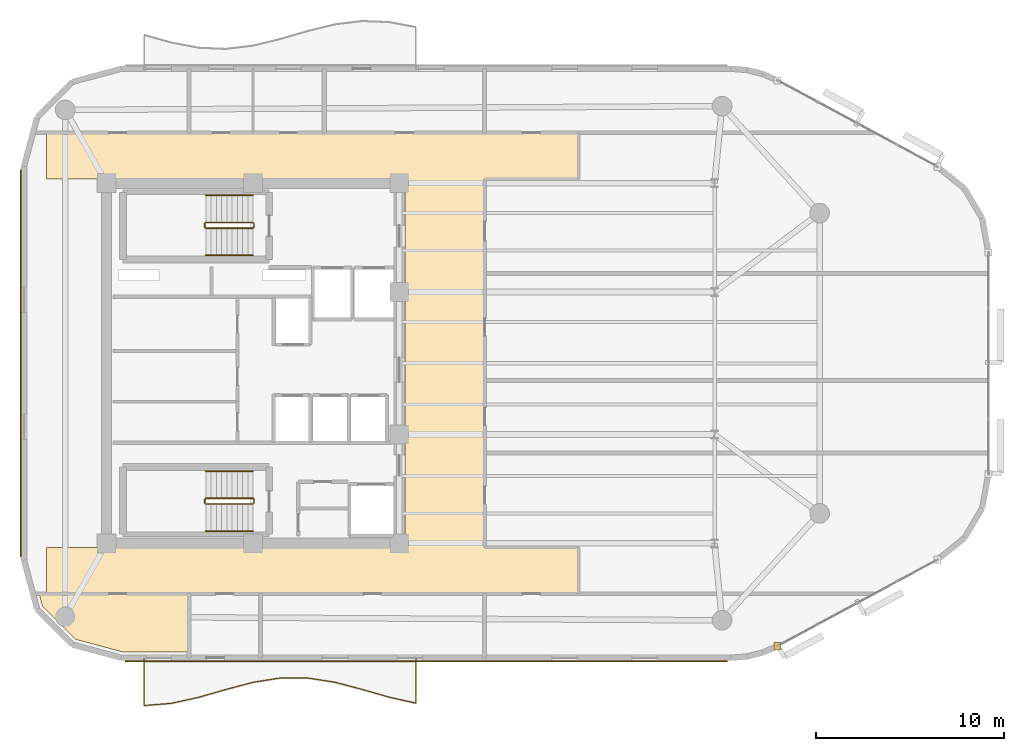
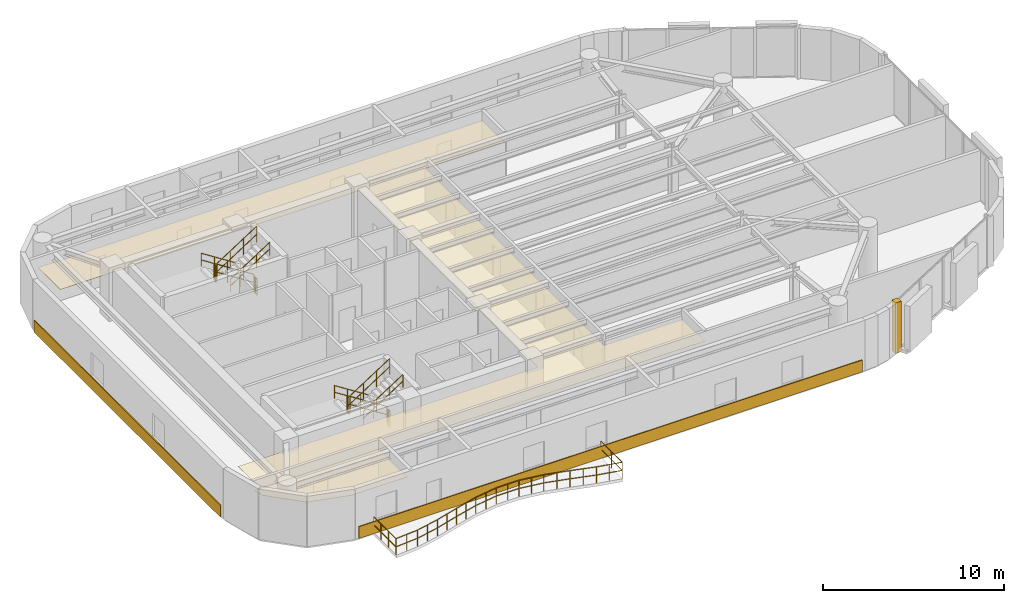
# One storey, part 12 of 13: 13 railings, 5 coverings.
"""IFC4 building model written with IfcOpenShell, lengths in metres."""

from ifc_helpers import new_model, si_unit, direction, frame, origin, origin_2d, place, context, subcontext, project, spatial, polyline, rectangle, circle, outline, extrude, material, layer, layer_set, type_object, element, save


model = new_model("IFC4")

# Units and contexts
model_context = context("Model", 3, precision=1e-05, world=origin(), true_north=direction((0.0, 1.0)))
body_context = subcontext(model_context, "Body", "Model", "MODEL_VIEW")
ifc_project = project(units=[si_unit("LENGTHUNIT", "METRE"), si_unit("AREAUNIT", "SQUARE_METRE"), si_unit("VOLUMEUNIT", "CUBIC_METRE"), si_unit("PLANEANGLEUNIT", "RADIAN"), si_unit("MASSUNIT", "GRAM", prefix="KILO")], contexts=[model_context])

# Site, building, storey
site_placement = place(None, origin())
site = spatial("IfcSite", under=ifc_project, at=site_placement, CompositionType="ELEMENT")
building_placement = place(site_placement, origin())
building = spatial("IfcBuilding", under=site, at=building_placement, Name="An Khanh Terracotta Commons", CompositionType="ELEMENT")
storey_placement = place(building_placement, frame((0.0, 0.0, 215.699951171875)))
storey = spatial("IfcBuildingStorey", under=building, at=storey_placement, Name="L56", CompositionType="ELEMENT", Elevation=215.699951171875)

# Coverings
ifc_material_1 = material(Name="Perforated Mineral-Fibre Acoustic Tile")
ifc_layer_1 = layer(ifc_material_1, 0.02001953125, Name="Perforated Mineral-Fibre Acoustic Tile")
ifc_layer_set_1 = layer_set([ifc_layer_1], Name="Perforated Mineral-Fibre Acoustic Tile")
covering_type_1 = type_object("IfcCoveringType", Name="CEIL-ACOUSTIC-18", PredefinedType="CEILING", material=ifc_layer_set_1)
covering_1_placement = place(storey_placement, frame((0.0, 0.0, 2.650146484375)))
element("IfcCovering", 1, at=covering_1_placement, inside=storey, type_object=covering_type_1, Name="L56 Corridor Ceiling", PredefinedType="CEILING", context=body_context, shape_type="SweptSolid", body=[
    extrude(outline(polyline([(37.5, 14.179931640625), (37.5, 33.820068359375), (18.39990234375, 33.820068359375), (18.39990234375, 36.280029296875), (37.5, 36.280029296875), (41.75, 36.280029296875), (46.75, 36.280029296875), (46.75, 33.820068359375), (41.75, 33.820068359375), (41.75, 14.179931640625), (46.75, 14.179931640625), (46.75, 11.719970703125), (41.75, 11.719970703125), (37.5, 11.719970703125), (18.39990234375, 11.719970703125), (18.39990234375, 14.179931640625), (37.5, 14.179931640625)])), origin(), (0.0, 0.0, 1.0), 0.02001953125),
])
covering_2_placement = place(storey_placement, frame((0.0, 0.0, 2.650146484375)))
element("IfcCovering", 2, at=covering_2_placement, inside=storey, type_object=covering_type_1, Name="L56 Student Reading Library Ceiling", PredefinedType="CEILING", context=body_context, shape_type="SweptSolid", body=[
    extrude(outline(polyline([(22.44189453125, 8.6201171875), (19.966064453125, 9.283935546875), (18.18408203125, 11.06591796875), (18.008056640625, 11.719970703125), (18.39990234375, 11.719970703125), (26.0, 11.719970703125), (26.0, 8.64990234375), (26.0, 8.6201171875), (22.44189453125, 8.6201171875)])), origin(), (0.0, 0.0, 1.0), 0.02001953125),
])
ifc_material_2 = material(Name="Fired Terracotta Rainscreen Cladding", Category="masonry")
ifc_layer_2 = layer(ifc_material_2, 0.080078125, Name="Fired Terracotta Rainscreen Cladding")
ifc_layer_set_2 = layer_set([ifc_layer_2], Name="Fired Terracotta Rainscreen Cladding")
covering_type_2 = type_object("IfcCoveringType", Name="COV-JAMB-TERRA", PredefinedType="CLADDING", material=ifc_layer_set_2)
covering_3_placement = place(storey_placement, frame((57.35693359375, 8.925048828125, 0.0), z_axis=(0.0, 0.0, 1.0), x_axis=(1.0, 0.0, 0.0)))
element("IfcCovering", 3, at=covering_3_placement, inside=storey, type_object=covering_type_2, Name="L56 CW-03 Curtain-Wall Jamb Closure JA", PredefinedType="CLADDING", context=body_context, shape_type="SweptSolid", body=[
    extrude(rectangle(XDim=0.3798828125, YDim=0.3798828125, at=origin_2d()), origin(), (0.0, 0.0, 1.0), 3.39990234375),
])
ifc_layer_3 = layer(ifc_material_2, 0.06005859375, Name="Fired Terracotta Rainscreen Cladding")
ifc_layer_set_3 = layer_set([ifc_layer_3], Name="Fired Terracotta Rainscreen Cladding")
covering_type_3 = type_object("IfcCoveringType", Name="COV-SPANDREL-TERRA", PredefinedType="CLADDING", material=ifc_layer_set_3)
covering_4_placement = place(storey_placement, frame((38.64208984375, 8.1201171875, 0.02001953125), z_axis=(0.0, 0.0, 1.0), x_axis=(1.0, 0.0, 0.0)))
element("IfcCovering", 4, at=covering_4_placement, inside=storey, type_object=covering_type_3, Name="L56 Terracotta Spandrel Cladding 4", PredefinedType="CLADDING", context=body_context, shape_type="SweptSolid", body=[
    extrude(rectangle(XDim=32.0849609375, YDim=0.06005859375, at=origin_2d()), origin(), (0.0, 0.0, 1.0), 0.800048828125),
])
covering_5_placement = place(storey_placement, frame((17.02001953125, 24.0, 0.02001953125), z_axis=(0.0, 0.0, 1.0), x_axis=(0.0, -1.0, 0.0)))
element("IfcCovering", 5, at=covering_5_placement, inside=storey, type_object=covering_type_3, Name="L56 Terracotta Spandrel Cladding 24", PredefinedType="CLADDING", context=body_context, shape_type="SweptSolid", body=[
    extrude(rectangle(XDim=20.60009765625, YDim=0.06005859375, at=origin_2d()), origin(), (0.0, 0.0, 1.0), 0.800048828125),
])

# Railings
ifc_material_3 = material(Name="Brushed Stainless Steel 316", Category="steel")
railing_type_1 = type_object("IfcRailingType", Name="RAIL-BALUSTRADE-1100", PredefinedType="BALUSTRADE", material=ifc_material_3)
railing_1_placement = place(storey_placement, frame((23.60009765625, 8.239990234375, 0.0)))
element("IfcRailing", 6, at=railing_1_placement, inside=storey, type_object=railing_type_1, Name="L56 S Wave Balcony Guard Balustrade", PredefinedType="BALUSTRADE", context=body_context, shape_type="SweptSolid", body=[
    extrude(circle(Radius=0.02392578125, at=origin_2d()), frame((0.0, 0.0, 1.076171875), z_axis=(0.0, -1.0, 0.0), x_axis=(1.0, 0.0, 0.0)), (0.0, 0.0, 1.0), 2.47998046875),
    extrude(circle(Radius=0.02392578125, at=origin_2d()), frame((0.0, 0.0, 0.52587890625), z_axis=(0.0, -1.0, 0.0), x_axis=(1.0, 0.0, 0.0)), (0.0, 0.0, 1.0), 2.47998046875),
    extrude(circle(Radius=0.02392578125, at=origin_2d()), frame((0.0, -2.47998046875, 1.076171875), z_axis=(0.996709288689, 0.081059199602, 0.0), x_axis=(-0.081059199602, 0.996709288689, 0.0)), (0.0, 0.0, 1.0), 1.454833984375),
    extrude(circle(Radius=0.02392578125, at=origin_2d()), frame((0.0, -2.47998046875, 0.52587890625), z_axis=(0.996709288689, 0.081059199602, 0.0), x_axis=(-0.081059199602, 0.996709288689, 0.0)), (0.0, 0.0, 1.0), 1.454833984375),
    extrude(circle(Radius=0.02392578125, at=origin_2d()), frame((1.449951171875, -2.362060546875, 1.076171875), z_axis=(0.976767859209, 0.214300138163, 0.0), x_axis=(-0.214300138163, 0.976767859209, 0.0)), (0.0, 0.0, 1.0), 1.484375),
    extrude(circle(Radius=0.02392578125, at=origin_2d()), frame((1.449951171875, -2.362060546875, 0.52587890625), z_axis=(0.976767859209, 0.214300138163, 0.0), x_axis=(-0.214300138163, 0.976767859209, 0.0)), (0.0, 0.0, 1.0), 1.484375),
    extrude(circle(Radius=0.02392578125, at=origin_2d()), frame((2.89990234375, -2.0439453125, 1.076171875), z_axis=(0.961046203514, 0.276387761509, 0.0), x_axis=(-0.276387761509, 0.961046203514, 0.0)), (0.0, 0.0, 1.0), 1.5087890625),
    extrude(circle(Radius=0.02392578125, at=origin_2d()), frame((2.89990234375, -2.0439453125, 0.52587890625), z_axis=(0.961046203514, 0.276387761509, 0.0), x_axis=(-0.276387761509, 0.961046203514, 0.0)), (0.0, 0.0, 1.0), 1.5087890625),
    extrude(circle(Radius=0.02392578125, at=origin_2d()), frame((4.349853515625, -1.626953125, 1.076171875), z_axis=(0.966668506699, 0.256031244492, 0.0), x_axis=(-0.256031244492, 0.966668506699, 0.0)), (0.0, 0.0, 1.0), 1.5),
    extrude(circle(Radius=0.02392578125, at=origin_2d()), frame((4.349853515625, -1.626953125, 0.52587890625), z_axis=(0.966668506699, 0.256031244492, 0.0), x_axis=(-0.256031244492, 0.966668506699, 0.0)), (0.0, 0.0, 1.0), 1.5),
    extrude(circle(Radius=0.02392578125, at=origin_2d()), frame((5.7998046875, -1.242919921875, 1.076171875), z_axis=(0.987554496283, 0.157277197556, 0.0), x_axis=(-0.157277197556, 0.987554496283, 0.0)), (0.0, 0.0, 1.0), 1.468505859375),
    extrude(circle(Radius=0.02392578125, at=origin_2d()), frame((5.7998046875, -1.242919921875, 0.52587890625), z_axis=(0.987554496283, 0.157277197556, 0.0), x_axis=(-0.157277197556, 0.987554496283, 0.0)), (0.0, 0.0, 1.0), 1.468505859375),
    extrude(circle(Radius=0.02392578125, at=origin_2d()), frame((7.25, -1.011962890625, 1.076171875), z_axis=(0.99999637105, 0.002694046462, 0.0), x_axis=(-0.002694046462, 0.99999637105, 0.0)), (0.0, 0.0, 1.0), 1.449951171875),
    extrude(circle(Radius=0.02392578125, at=origin_2d()), frame((7.25, -1.011962890625, 0.52587890625), z_axis=(0.99999637105, 0.002694046462, 0.0), x_axis=(-0.002694046462, 0.99999637105, 0.0)), (0.0, 0.0, 1.0), 1.449951171875),
    extrude(circle(Radius=0.02392578125, at=origin_2d()), frame((8.699951171875, -1.008056640625, 1.076171875), z_axis=(0.988288829033, -0.152594857084, 0.0), x_axis=(0.152594857084, 0.988288829033, 0.0)), (0.0, 0.0, 1.0), 1.467041015625),
    extrude(circle(Radius=0.02392578125, at=origin_2d()), frame((8.699951171875, -1.008056640625, 0.52587890625), z_axis=(0.988288829033, -0.152594857084, 0.0), x_axis=(0.152594857084, 0.988288829033, 0.0)), (0.0, 0.0, 1.0), 1.467041015625),
    extrude(circle(Radius=0.02392578125, at=origin_2d()), frame((10.14990234375, -1.23193359375, 1.076171875), z_axis=(0.96715043339, -0.254204719064, 0.0), x_axis=(0.254204719064, 0.96715043339, 0.0)), (0.0, 0.0, 1.0), 1.499267578125),
    extrude(circle(Radius=0.02392578125, at=origin_2d()), frame((10.14990234375, -1.23193359375, 0.52587890625), z_axis=(0.96715043339, -0.254204719064, 0.0), x_axis=(0.254204719064, 0.96715043339, 0.0)), (0.0, 0.0, 1.0), 1.499267578125),
    extrude(circle(Radius=0.02392578125, at=origin_2d()), frame((11.599853515625, -1.613037109375, 1.076171875), z_axis=(0.960874117493, -0.276985433431, 0.0), x_axis=(0.276985433431, 0.960874117493, 0.0)), (0.0, 0.0, 1.0), 1.509033203125),
    extrude(circle(Radius=0.02392578125, at=origin_2d()), frame((11.599853515625, -1.613037109375, 0.52587890625), z_axis=(0.960874117493, -0.276985433431, 0.0), x_axis=(0.276985433431, 0.960874117493, 0.0)), (0.0, 0.0, 1.0), 1.509033203125),
    extrude(circle(Radius=0.02392578125, at=origin_2d()), frame((13.0498046875, -2.031005859375, 1.076171875), z_axis=(0.976082553293, -0.217400205052, 0.0), x_axis=(0.217400205052, 0.976082553293, 0.0)), (0.0, 0.0, 1.0), 1.48583984375),
    extrude(circle(Radius=0.02392578125, at=origin_2d()), frame((13.0498046875, -2.031005859375, 0.52587890625), z_axis=(0.976082553293, -0.217400205052, 0.0), x_axis=(0.217400205052, 0.976082553293, 0.0)), (0.0, 0.0, 1.0), 1.48583984375),
    extrude(circle(Radius=0.02392578125, at=origin_2d()), frame((14.5, -2.35400390625, 1.076171875), z_axis=(0.0, 1.0, 0.0), x_axis=(-1.0, 0.0, 0.0)), (0.0, 0.0, 1.0), 2.35400390625),
    extrude(circle(Radius=0.02392578125, at=origin_2d()), frame((14.5, -2.35400390625, 0.52587890625), z_axis=(0.0, 1.0, 0.0), x_axis=(-1.0, 0.0, 0.0)), (0.0, 0.0, 1.0), 2.35400390625),
    extrude(circle(Radius=0.02099609375, at=origin_2d()), origin(), (0.0, 0.0, 1.0), 1.052001953125),
    extrude(circle(Radius=0.02099609375, at=origin_2d()), frame((0.0, -0.82666015625, 0.0)), (0.0, 0.0, 1.0), 1.052001953125),
    extrude(circle(Radius=0.02099609375, at=origin_2d()), frame((0.0, -1.6533203125, 0.0)), (0.0, 0.0, 1.0), 1.052001953125),
    extrude(circle(Radius=0.02099609375, at=origin_2d()), frame((0.0, -2.47998046875, 0.0)), (0.0, 0.0, 1.0), 1.052001953125),
    extrude(circle(Radius=0.02099609375, at=origin_2d()), frame((0.72509765625, -2.4208984375, 0.0)), (0.0, 0.0, 1.0), 1.052001953125),
    extrude(circle(Radius=0.02099609375, at=origin_2d()), frame((1.449951171875, -2.362060546875, 0.0)), (0.0, 0.0, 1.0), 1.052001953125),
    extrude(circle(Radius=0.02099609375, at=origin_2d()), frame((2.1748046875, -2.203125, 0.0)), (0.0, 0.0, 1.0), 1.052001953125),
    extrude(circle(Radius=0.02099609375, at=origin_2d()), frame((2.89990234375, -2.0439453125, 0.0)), (0.0, 0.0, 1.0), 1.052001953125),
    extrude(circle(Radius=0.02099609375, at=origin_2d()), frame((3.625, -1.83544921875, 0.0)), (0.0, 0.0, 1.0), 1.052001953125),
    extrude(circle(Radius=0.02099609375, at=origin_2d()), frame((4.349853515625, -1.626953125, 0.0)), (0.0, 0.0, 1.0), 1.052001953125),
    extrude(circle(Radius=0.02099609375, at=origin_2d()), frame((5.07470703125, -1.43505859375, 0.0)), (0.0, 0.0, 1.0), 1.052001953125),
    extrude(circle(Radius=0.02099609375, at=origin_2d()), frame((5.7998046875, -1.242919921875, 0.0)), (0.0, 0.0, 1.0), 1.052001953125),
    extrude(circle(Radius=0.02099609375, at=origin_2d()), frame((6.52490234375, -1.12744140625, 0.0)), (0.0, 0.0, 1.0), 1.052001953125),
    extrude(circle(Radius=0.02099609375, at=origin_2d()), frame((7.25, -1.011962890625, 0.0)), (0.0, 0.0, 1.0), 1.052001953125),
    extrude(circle(Radius=0.02099609375, at=origin_2d()), frame((7.97509765625, -1.010009765625, 0.0)), (0.0, 0.0, 1.0), 1.052001953125),
    extrude(circle(Radius=0.02099609375, at=origin_2d()), frame((8.699951171875, -1.008056640625, 0.0)), (0.0, 0.0, 1.0), 1.052001953125),
    extrude(circle(Radius=0.02099609375, at=origin_2d()), frame((9.4248046875, -1.1201171875, 0.0)), (0.0, 0.0, 1.0), 1.052001953125),
    extrude(circle(Radius=0.02099609375, at=origin_2d()), frame((10.14990234375, -1.23193359375, 0.0)), (0.0, 0.0, 1.0), 1.052001953125),
    extrude(circle(Radius=0.02099609375, at=origin_2d()), frame((10.875, -1.42236328125, 0.0)), (0.0, 0.0, 1.0), 1.052001953125),
    extrude(circle(Radius=0.02099609375, at=origin_2d()), frame((11.599853515625, -1.613037109375, 0.0)), (0.0, 0.0, 1.0), 1.052001953125),
    extrude(circle(Radius=0.02099609375, at=origin_2d()), frame((12.32470703125, -1.822021484375, 0.0)), (0.0, 0.0, 1.0), 1.052001953125),
    extrude(circle(Radius=0.02099609375, at=origin_2d()), frame((13.0498046875, -2.031005859375, 0.0)), (0.0, 0.0, 1.0), 1.052001953125),
    extrude(circle(Radius=0.02099609375, at=origin_2d()), frame((13.77490234375, -2.1923828125, 0.0)), (0.0, 0.0, 1.0), 1.052001953125),
    extrude(circle(Radius=0.02099609375, at=origin_2d()), frame((14.5, -2.35400390625, 0.0)), (0.0, 0.0, 1.0), 1.052001953125),
    extrude(circle(Radius=0.02099609375, at=origin_2d()), frame((14.5, -1.177001953125, 0.0)), (0.0, 0.0, 1.0), 1.052001953125),
    extrude(circle(Radius=0.02099609375, at=origin_2d()), frame((14.5, 0.0, 0.0)), (0.0, 0.0, 1.0), 1.052001953125),
])
railing_type_2 = type_object("IfcRailingType", Name="RAIL-HANDRAIL-900", PredefinedType="HANDRAIL", material=ifc_material_3)
railing_2_placement = place(storey_placement, frame((29.409912109375, 32.949951171875, 0.179931640625)))
element("IfcRailing", 7, at=railing_2_placement, inside=storey, type_object=railing_type_2, Name="L56 ST-01 stair handrail 1", PredefinedType="HANDRAIL", context=body_context, shape_type="SweptSolid", body=[
    extrude(circle(Radius=0.02392578125, at=origin_2d()), frame((0.0, 0.0, 0.8759765625), z_axis=(-0.841162588446, 0.0, 0.540782303519), x_axis=(0.0, -1.0, 0.0)), (0.0, 0.0, 1.0), 2.995849609375),
    extrude(circle(Radius=0.02392578125, at=origin_2d()), frame((0.0, 0.0, 0.42578125), z_axis=(-0.841162588446, 0.0, 0.540782303519), x_axis=(0.0, -1.0, 0.0)), (0.0, 0.0, 1.0), 2.995849609375),
    extrude(circle(Radius=0.02099609375, at=origin_2d()), origin(), (0.0, 0.0, 1.0), 0.851806640625),
    extrude(circle(Radius=0.02099609375, at=origin_2d()), frame((-0.840087890625, 0.0, 0.5400390625)), (0.0, 0.0, 1.0), 0.851806640625),
    extrude(circle(Radius=0.02099609375, at=origin_2d()), frame((-1.679931640625, 0.0, 1.080078125)), (0.0, 0.0, 1.0), 0.851806640625),
    extrude(circle(Radius=0.02099609375, at=origin_2d()), frame((-2.52001953125, 0.0, 1.6201171875)), (0.0, 0.0, 1.0), 0.851806640625),
])
railing_3_placement = place(storey_placement, frame((26.889892578125, 29.75, 1.97998046875)))
element("IfcRailing", 8, at=railing_3_placement, inside=storey, type_object=railing_type_2, Name="L56 ST-01 stair handrail 2", PredefinedType="HANDRAIL", context=body_context, shape_type="SweptSolid", body=[
    extrude(circle(Radius=0.02392578125, at=origin_2d()), frame((0.0, 0.0, 0.8759765625), z_axis=(0.841162588446, 0.0, 0.540782303519), x_axis=(0.0, 1.0, 0.0)), (0.0, 0.0, 1.0), 2.995849609375),
    extrude(circle(Radius=0.02392578125, at=origin_2d()), frame((0.0, 0.0, 0.42578125), z_axis=(0.841162588446, 0.0, 0.540782303519), x_axis=(0.0, 1.0, 0.0)), (0.0, 0.0, 1.0), 2.995849609375),
    extrude(circle(Radius=0.02099609375, at=origin_2d()), origin(), (0.0, 0.0, 1.0), 0.851806640625),
    extrude(circle(Radius=0.02099609375, at=origin_2d()), frame((0.840087890625, 0.0, 0.5400390625)), (0.0, 0.0, 1.0), 0.851806640625),
    extrude(circle(Radius=0.02099609375, at=origin_2d()), frame((1.679931640625, 0.0, 1.080078125)), (0.0, 0.0, 1.0), 0.851806640625),
    extrude(circle(Radius=0.02099609375, at=origin_2d()), frame((2.52001953125, 0.0, 1.6201171875)), (0.0, 0.0, 1.0), 0.851806640625),
])
railing_4_placement = place(storey_placement, frame((29.409912109375, 18.25, 0.179931640625)))
element("IfcRailing", 9, at=railing_4_placement, inside=storey, type_object=railing_type_2, Name="L56 ST-02 stair handrail 1", PredefinedType="HANDRAIL", context=body_context, shape_type="SweptSolid", body=[
    extrude(circle(Radius=0.02392578125, at=origin_2d()), frame((0.0, 0.0, 0.8759765625), z_axis=(-0.841162588446, 0.0, 0.540782303519), x_axis=(0.0, -1.0, 0.0)), (0.0, 0.0, 1.0), 2.995849609375),
    extrude(circle(Radius=0.02392578125, at=origin_2d()), frame((0.0, 0.0, 0.42578125), z_axis=(-0.841162588446, 0.0, 0.540782303519), x_axis=(0.0, -1.0, 0.0)), (0.0, 0.0, 1.0), 2.995849609375),
    extrude(circle(Radius=0.02099609375, at=origin_2d()), origin(), (0.0, 0.0, 1.0), 0.851806640625),
    extrude(circle(Radius=0.02099609375, at=origin_2d()), frame((-0.840087890625, 0.0, 0.5400390625)), (0.0, 0.0, 1.0), 0.851806640625),
    extrude(circle(Radius=0.02099609375, at=origin_2d()), frame((-1.679931640625, 0.0, 1.080078125)), (0.0, 0.0, 1.0), 0.851806640625),
    extrude(circle(Radius=0.02099609375, at=origin_2d()), frame((-2.52001953125, 0.0, 1.6201171875)), (0.0, 0.0, 1.0), 0.851806640625),
])
railing_5_placement = place(storey_placement, frame((26.889892578125, 15.050048828125, 1.97998046875)))
element("IfcRailing", 10, at=railing_5_placement, inside=storey, type_object=railing_type_2, Name="L56 ST-02 stair handrail 2", PredefinedType="HANDRAIL", context=body_context, shape_type="SweptSolid", body=[
    extrude(circle(Radius=0.02392578125, at=origin_2d()), frame((0.0, 0.0, 0.8759765625), z_axis=(0.841162588446, 0.0, 0.540782303519), x_axis=(0.0, 1.0, 0.0)), (0.0, 0.0, 1.0), 2.995849609375),
    extrude(circle(Radius=0.02392578125, at=origin_2d()), frame((0.0, 0.0, 0.42578125), z_axis=(0.841162588446, 0.0, 0.540782303519), x_axis=(0.0, 1.0, 0.0)), (0.0, 0.0, 1.0), 2.995849609375),
    extrude(circle(Radius=0.02099609375, at=origin_2d()), origin(), (0.0, 0.0, 1.0), 0.851806640625),
    extrude(circle(Radius=0.02099609375, at=origin_2d()), frame((0.840087890625, 0.0, 0.5400390625)), (0.0, 0.0, 1.0), 0.851806640625),
    extrude(circle(Radius=0.02099609375, at=origin_2d()), frame((1.679931640625, 0.0, 1.080078125)), (0.0, 0.0, 1.0), 0.851806640625),
    extrude(circle(Radius=0.02099609375, at=origin_2d()), frame((2.52001953125, 0.0, 1.6201171875)), (0.0, 0.0, 1.0), 0.851806640625),
])
ifc_material_4 = material(Name="Powder-Coated Steel S355J2", Category="steel")
railing_type_3 = type_object("IfcRailingType", Name="RAIL-STAIR-GUARD-1100", PredefinedType="BALUSTRADE", material=ifc_material_4)
railing_6_placement = place(storey_placement, frame((29.409912109375, 31.5, 0.179931640625)))
element("IfcRailing", 11, at=railing_6_placement, inside=storey, type_object=railing_type_3, Name="L56 ST-01 stair guard 1", PredefinedType="BALUSTRADE", context=body_context, shape_type="SweptSolid", body=[
    extrude(circle(Radius=0.02392578125, at=origin_2d()), frame((0.0, 0.0, 1.076171875), z_axis=(-0.841162588446, 0.0, 0.540782303519), x_axis=(0.0, -1.0, 0.0)), (0.0, 0.0, 1.0), 2.995849609375),
    extrude(circle(Radius=0.02392578125, at=origin_2d()), frame((0.0, 0.0, 0.52587890625), z_axis=(-0.841162588446, 0.0, 0.540782303519), x_axis=(0.0, -1.0, 0.0)), (0.0, 0.0, 1.0), 2.995849609375),
    extrude(circle(Radius=0.02099609375, at=origin_2d()), origin(), (0.0, 0.0, 1.0), 1.052001953125),
    extrude(circle(Radius=0.02099609375, at=origin_2d()), frame((-0.840087890625, 0.0, 0.5400390625)), (0.0, 0.0, 1.0), 1.052001953125),
    extrude(circle(Radius=0.02099609375, at=origin_2d()), frame((-1.679931640625, 0.0, 1.080078125)), (0.0, 0.0, 1.0), 1.052001953125),
    extrude(circle(Radius=0.02099609375, at=origin_2d()), frame((-2.52001953125, 0.0, 1.6201171875)), (0.0, 0.0, 1.0), 1.052001953125),
])
railing_7_placement = place(storey_placement, frame((26.840087890625, 31.449951171875, 1.800048828125)))
element("IfcRailing", 12, at=railing_7_placement, inside=storey, type_object=railing_type_3, Name="L56 ST-01 stair guard 2", PredefinedType="BALUSTRADE", context=body_context, shape_type="SweptSolid", body=[
    extrude(circle(Radius=0.02392578125, at=origin_2d()), frame((0.0, 0.0, 1.076171875), z_axis=(0.0, -1.0, 0.0), x_axis=(1.0, 0.0, 0.0)), (0.0, 0.0, 1.0), 0.199951171875),
    extrude(circle(Radius=0.02392578125, at=origin_2d()), frame((0.0, 0.0, 0.52587890625), z_axis=(0.0, -1.0, 0.0), x_axis=(1.0, 0.0, 0.0)), (0.0, 0.0, 1.0), 0.199951171875),
    extrude(circle(Radius=0.02099609375, at=origin_2d()), origin(), (0.0, 0.0, 1.0), 1.052001953125),
    extrude(circle(Radius=0.02099609375, at=origin_2d()), frame((0.0, -0.199951171875, 0.0)), (0.0, 0.0, 1.0), 1.052001953125),
])
railing_8_placement = place(storey_placement, frame((26.889892578125, 31.199951171875, 1.97998046875)))
element("IfcRailing", 13, at=railing_8_placement, inside=storey, type_object=railing_type_3, Name="L56 ST-01 stair guard 3", PredefinedType="BALUSTRADE", context=body_context, shape_type="SweptSolid", body=[
    extrude(circle(Radius=0.02392578125, at=origin_2d()), frame((0.0, 0.0, 1.076171875), z_axis=(0.841162588446, 0.0, 0.540782303519), x_axis=(0.0, 1.0, 0.0)), (0.0, 0.0, 1.0), 2.995849609375),
    extrude(circle(Radius=0.02392578125, at=origin_2d()), frame((0.0, 0.0, 0.52587890625), z_axis=(0.841162588446, 0.0, 0.540782303519), x_axis=(0.0, 1.0, 0.0)), (0.0, 0.0, 1.0), 2.995849609375),
    extrude(circle(Radius=0.02099609375, at=origin_2d()), origin(), (0.0, 0.0, 1.0), 1.052001953125),
    extrude(circle(Radius=0.02099609375, at=origin_2d()), frame((0.840087890625, 0.0, 0.5400390625)), (0.0, 0.0, 1.0), 1.052001953125),
    extrude(circle(Radius=0.02099609375, at=origin_2d()), frame((1.679931640625, 0.0, 1.080078125)), (0.0, 0.0, 1.0), 1.052001953125),
    extrude(circle(Radius=0.02099609375, at=origin_2d()), frame((2.52001953125, 0.0, 1.6201171875)), (0.0, 0.0, 1.0), 1.052001953125),
])
railing_9_placement = place(storey_placement, frame((29.4599609375, 31.449951171875, 0.0)))
element("IfcRailing", 14, at=railing_9_placement, inside=storey, type_object=railing_type_3, Name="L56 ST-01 stair guard 4", PredefinedType="BALUSTRADE", context=body_context, shape_type="SweptSolid", body=[
    extrude(circle(Radius=0.02392578125, at=origin_2d()), frame((0.0, 0.0, 1.076171875), z_axis=(0.0, -1.0, 0.0), x_axis=(1.0, 0.0, 0.0)), (0.0, 0.0, 1.0), 0.199951171875),
    extrude(circle(Radius=0.02392578125, at=origin_2d()), frame((0.0, 0.0, 0.52587890625), z_axis=(0.0, -1.0, 0.0), x_axis=(1.0, 0.0, 0.0)), (0.0, 0.0, 1.0), 0.199951171875),
    extrude(circle(Radius=0.02099609375, at=origin_2d()), origin(), (0.0, 0.0, 1.0), 1.052001953125),
    extrude(circle(Radius=0.02099609375, at=origin_2d()), frame((0.0, -0.199951171875, 0.0)), (0.0, 0.0, 1.0), 1.052001953125),
])
railing_10_placement = place(storey_placement, frame((29.409912109375, 16.800048828125, 0.179931640625)))
element("IfcRailing", 15, at=railing_10_placement, inside=storey, type_object=railing_type_3, Name="L56 ST-02 stair guard 1", PredefinedType="BALUSTRADE", context=body_context, shape_type="SweptSolid", body=[
    extrude(circle(Radius=0.02392578125, at=origin_2d()), frame((0.0, 0.0, 1.076171875), z_axis=(-0.841162588446, 0.0, 0.540782303519), x_axis=(0.0, -1.0, 0.0)), (0.0, 0.0, 1.0), 2.995849609375),
    extrude(circle(Radius=0.02392578125, at=origin_2d()), frame((0.0, 0.0, 0.52587890625), z_axis=(-0.841162588446, 0.0, 0.540782303519), x_axis=(0.0, -1.0, 0.0)), (0.0, 0.0, 1.0), 2.995849609375),
    extrude(circle(Radius=0.02099609375, at=origin_2d()), origin(), (0.0, 0.0, 1.0), 1.052001953125),
    extrude(circle(Radius=0.02099609375, at=origin_2d()), frame((-0.840087890625, 0.0, 0.5400390625)), (0.0, 0.0, 1.0), 1.052001953125),
    extrude(circle(Radius=0.02099609375, at=origin_2d()), frame((-1.679931640625, 0.0, 1.080078125)), (0.0, 0.0, 1.0), 1.052001953125),
    extrude(circle(Radius=0.02099609375, at=origin_2d()), frame((-2.52001953125, 0.0, 1.6201171875)), (0.0, 0.0, 1.0), 1.052001953125),
])
railing_11_placement = place(storey_placement, frame((26.840087890625, 16.75, 1.800048828125)))
element("IfcRailing", 16, at=railing_11_placement, inside=storey, type_object=railing_type_3, Name="L56 ST-02 stair guard 2", PredefinedType="BALUSTRADE", context=body_context, shape_type="SweptSolid", body=[
    extrude(circle(Radius=0.02392578125, at=origin_2d()), frame((0.0, 0.0, 1.076171875), z_axis=(0.0, -1.0, 0.0), x_axis=(1.0, 0.0, 0.0)), (0.0, 0.0, 1.0), 0.199951171875),
    extrude(circle(Radius=0.02392578125, at=origin_2d()), frame((0.0, 0.0, 0.52587890625), z_axis=(0.0, -1.0, 0.0), x_axis=(1.0, 0.0, 0.0)), (0.0, 0.0, 1.0), 0.199951171875),
    extrude(circle(Radius=0.02099609375, at=origin_2d()), origin(), (0.0, 0.0, 1.0), 1.052001953125),
    extrude(circle(Radius=0.02099609375, at=origin_2d()), frame((0.0, -0.199951171875, 0.0)), (0.0, 0.0, 1.0), 1.052001953125),
])
railing_12_placement = place(storey_placement, frame((26.889892578125, 16.5, 1.97998046875)))
element("IfcRailing", 17, at=railing_12_placement, inside=storey, type_object=railing_type_3, Name="L56 ST-02 stair guard 3", PredefinedType="BALUSTRADE", context=body_context, shape_type="SweptSolid", body=[
    extrude(circle(Radius=0.02392578125, at=origin_2d()), frame((0.0, 0.0, 1.076171875), z_axis=(0.841162588446, 0.0, 0.540782303519), x_axis=(0.0, 1.0, 0.0)), (0.0, 0.0, 1.0), 2.995849609375),
    extrude(circle(Radius=0.02392578125, at=origin_2d()), frame((0.0, 0.0, 0.52587890625), z_axis=(0.841162588446, 0.0, 0.540782303519), x_axis=(0.0, 1.0, 0.0)), (0.0, 0.0, 1.0), 2.995849609375),
    extrude(circle(Radius=0.02099609375, at=origin_2d()), origin(), (0.0, 0.0, 1.0), 1.052001953125),
    extrude(circle(Radius=0.02099609375, at=origin_2d()), frame((0.840087890625, 0.0, 0.5400390625)), (0.0, 0.0, 1.0), 1.052001953125),
    extrude(circle(Radius=0.02099609375, at=origin_2d()), frame((1.679931640625, 0.0, 1.080078125)), (0.0, 0.0, 1.0), 1.052001953125),
    extrude(circle(Radius=0.02099609375, at=origin_2d()), frame((2.52001953125, 0.0, 1.6201171875)), (0.0, 0.0, 1.0), 1.052001953125),
])
railing_13_placement = place(storey_placement, frame((29.4599609375, 16.75, 0.0)))
element("IfcRailing", 18, at=railing_13_placement, inside=storey, type_object=railing_type_3, Name="L56 ST-02 stair guard 4", PredefinedType="BALUSTRADE", context=body_context, shape_type="SweptSolid", body=[
    extrude(circle(Radius=0.02392578125, at=origin_2d()), frame((0.0, 0.0, 1.076171875), z_axis=(0.0, -1.0, 0.0), x_axis=(1.0, 0.0, 0.0)), (0.0, 0.0, 1.0), 0.199951171875),
    extrude(circle(Radius=0.02392578125, at=origin_2d()), frame((0.0, 0.0, 0.52587890625), z_axis=(0.0, -1.0, 0.0), x_axis=(1.0, 0.0, 0.0)), (0.0, 0.0, 1.0), 0.199951171875),
    extrude(circle(Radius=0.02099609375, at=origin_2d()), origin(), (0.0, 0.0, 1.0), 1.052001953125),
    extrude(circle(Radius=0.02099609375, at=origin_2d()), frame((0.0, -0.199951171875, 0.0)), (0.0, 0.0, 1.0), 1.052001953125),
])

save(model, "model.ifc")
